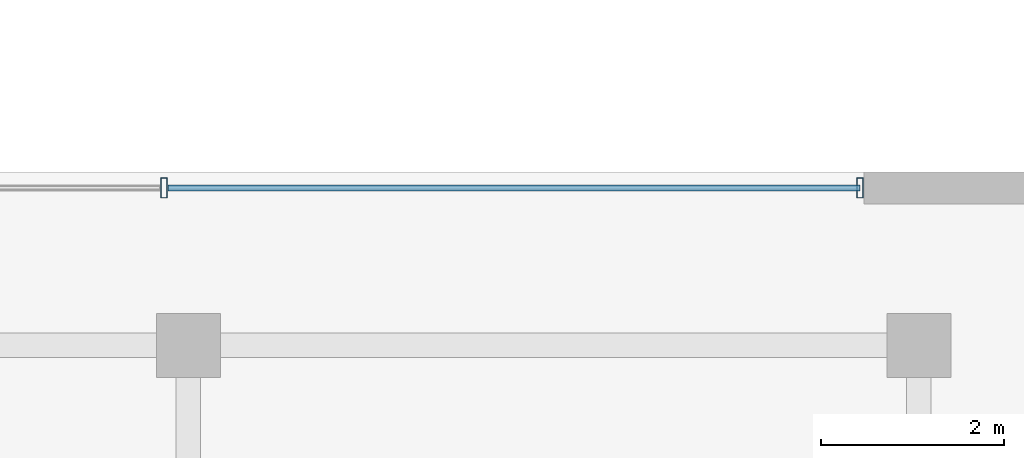
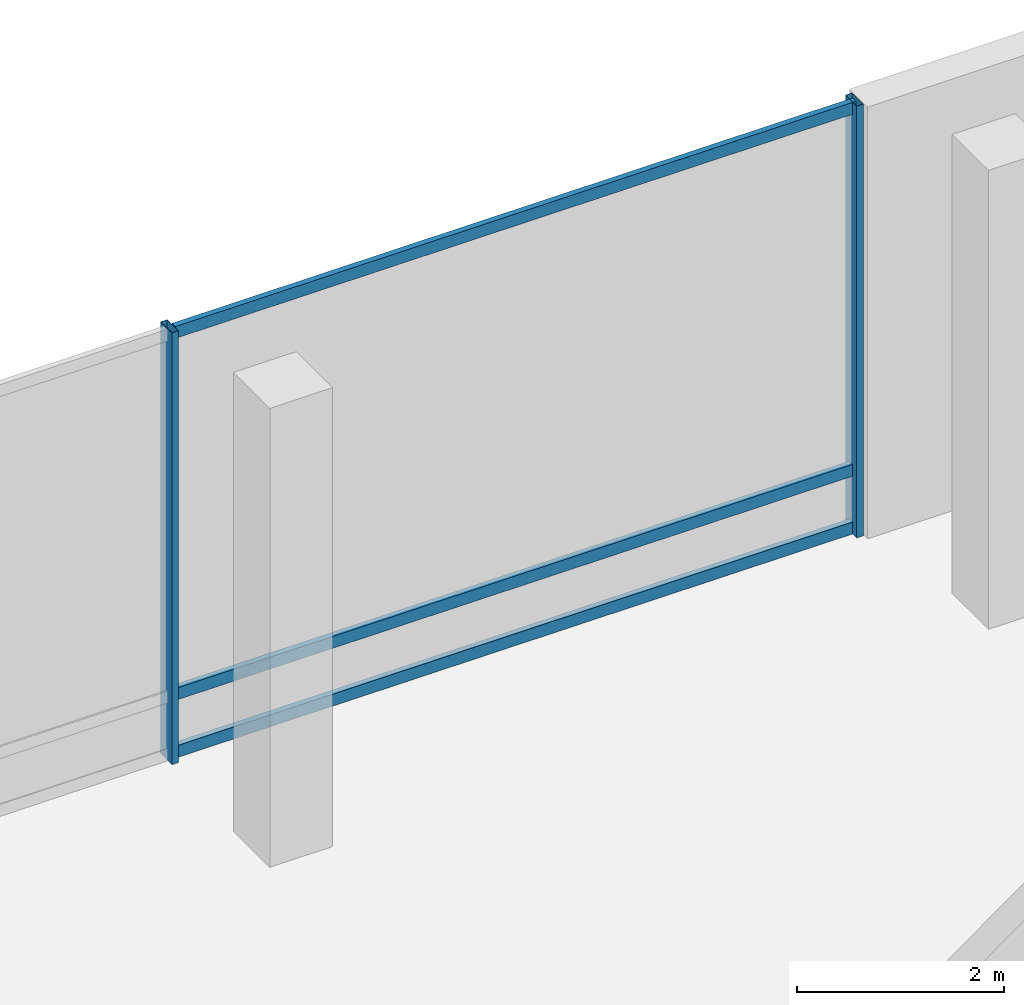
# One storey, part 23 of 36: 5 members, 1 element without a shape of its own.
"""IFC4 building model written with IfcOpenShell, lengths in metres."""

from ifc_helpers import new_model, si_unit, direction, frame, origin, origin_2d, place, context, subcontext, project, spatial, hollow_rectangle, extrude, material, layer, layer_set, material_profile, profile_set, type_object, element, aggregate, save


model = new_model("IFC4")

# Units and contexts
model_context = context("Model", 3, precision=1e-05, world=origin(), true_north=direction((0.0, 1.0)))
body_context = subcontext(model_context, "Body", "Model", "MODEL_VIEW")
ifc_project = project(units=[si_unit("LENGTHUNIT", "METRE"), si_unit("AREAUNIT", "SQUARE_METRE"), si_unit("VOLUMEUNIT", "CUBIC_METRE"), si_unit("PLANEANGLEUNIT", "RADIAN"), si_unit("MASSUNIT", "GRAM", prefix="KILO")], contexts=[model_context])

# Site, building, storey
site_placement = place(None, origin())
site = spatial("IfcSite", under=ifc_project, at=site_placement, CompositionType="ELEMENT")
building_placement = place(site_placement, origin())
building = spatial("IfcBuilding", under=site, at=building_placement, Name="Barlavira Tower and Art Museum", CompositionType="ELEMENT")
storey_placement = place(building_placement, frame((0.0, 0.0, 11.39990234375)))
storey = spatial("IfcBuildingStorey", under=building, at=storey_placement, Name="L02", CompositionType="ELEMENT", Elevation=11.39990234375)

# Curtain wall, members
ifc_material_1 = material(Name="Low-iron coastal laminated glass", Category="glass")
ifc_layer = layer(ifc_material_1, 0.199951171875, Name="Low-iron coastal laminated glass")
ifc_layer_set = layer_set([ifc_layer], Name="Low-iron coastal laminated glass")
curtain_wall_type = type_object("IfcCurtainWallType", Name="Coastal Art Museum North-Light Curtain Wall", PredefinedType="NOTDEFINED", material=ifc_layer_set)
curtain_wall_placement = place(storey_placement, origin())
curtain_wall = element("IfcCurtainWall", 1, at=curtain_wall_placement, inside=storey, type_object=curtain_wall_type, Name="L02 Curtain Wall CW6-MUS-L02-N", PredefinedType="NOTDEFINED")
ifc_material_2 = material(Name="Pale anodised aluminium", Category="aluminium")
ifc_material_profile_1 = material_profile(ifc_material_2, hollow_rectangle(XDim=0.074951171875, YDim=0.219970703125, WallThickness=0.0048828125, at=origin_2d()), Name="ALU-MULL 75x220x5")
ifc_profile_set_1 = profile_set([ifc_material_profile_1], Name="Pale anodised aluminium")
member_type_1 = type_object("IfcMemberType", Name="Curtain Wall Heavy Pale-Metal Mullion 75x220", PredefinedType="MULLION", material=ifc_profile_set_1)
member_1_placement = place(storey_placement, frame((54.955078125, 23.824951171875, 0.0), z_axis=(0.0, 0.0, 1.0), x_axis=(-1.0, 0.0, 0.0)))
member_1 = element("IfcMember", 2, at=member_1_placement, type_object=member_type_1, Name="CW6-MUS-L02-N Mullion 0", PredefinedType="MULLION", context=body_context, shape_type="SweptSolid", body=[
    extrude(hollow_rectangle(XDim=0.074951171875, YDim=0.219970703125, WallThickness=0.0048828125, at=origin_2d()), origin(), (0.0, 0.0, 1.0), 5.080078125),
])
member_2_placement = place(storey_placement, frame((47.333251953125, 23.824951171875, 0.0), z_axis=(0.0, 0.0, 1.0), x_axis=(-1.0, 0.0, 0.0)))
member_2 = element("IfcMember", 3, at=member_2_placement, type_object=member_type_1, Name="CW6-MUS-L02-N Mullion 1", PredefinedType="MULLION", context=body_context, shape_type="SweptSolid", body=[
    extrude(hollow_rectangle(XDim=0.074951171875, YDim=0.219970703125, WallThickness=0.0048828125, at=origin_2d()), origin(), (0.0, 0.0, 1.0), 5.080078125),
])
ifc_material_profile_2 = material_profile(ifc_material_2, hollow_rectangle(XDim=0.06494140625, YDim=0.139892578125, WallThickness=0.00390625, at=origin_2d()), Name="ALU-TRAN 65x140x4")
ifc_profile_set_2 = profile_set([ifc_material_profile_2], Name="Pale anodised aluminium")
member_type_2 = type_object("IfcMemberType", Name="Curtain Wall Pale-Metal Transom 65x140", PredefinedType="USERDEFINED", material=ifc_profile_set_2)
member_3_placement = place(storey_placement, frame((54.955078125, 23.824951171875, 0.070068359375), z_axis=(-1.0, 0.0, 0.0), x_axis=(0.0, -1.0, 0.0)))
member_3 = element("IfcMember", 4, at=member_3_placement, type_object=member_type_2, Name="CW6-MUS-L02-N Transom 0.1", ObjectType="TRANSOM", PredefinedType="USERDEFINED", context=body_context, shape_type="SweptSolid", body=[
    extrude(hollow_rectangle(XDim=0.06494140625, YDim=0.139892578125, WallThickness=0.00390625, at=origin_2d()), origin(), (0.0, 0.0, 1.0), 7.57666015625),
])
member_4_placement = place(storey_placement, frame((54.955078125, 23.824951171875, 0.75), z_axis=(-1.0, 0.0, 0.0), x_axis=(0.0, -1.0, 0.0)))
member_4 = element("IfcMember", 5, at=member_4_placement, type_object=member_type_2, Name="CW6-MUS-L02-N Transom 0.2", ObjectType="TRANSOM", PredefinedType="USERDEFINED", context=body_context, shape_type="SweptSolid", body=[
    extrude(hollow_rectangle(XDim=0.06494140625, YDim=0.139892578125, WallThickness=0.00390625, at=origin_2d()), origin(), (0.0, 0.0, 1.0), 7.57666015625),
])
member_5_placement = place(storey_placement, frame((54.955078125, 23.824951171875, 5.010009765625), z_axis=(-1.0, 0.0, 0.0), x_axis=(0.0, -1.0, 0.0)))
member_5 = element("IfcMember", 6, at=member_5_placement, type_object=member_type_2, Name="CW6-MUS-L02-N Transom 0.3", ObjectType="TRANSOM", PredefinedType="USERDEFINED", context=body_context, shape_type="SweptSolid", body=[
    extrude(hollow_rectangle(XDim=0.06494140625, YDim=0.139892578125, WallThickness=0.00390625, at=origin_2d()), origin(), (0.0, 0.0, 1.0), 7.57666015625),
])
aggregate(curtain_wall, [member_1, member_2, member_3, member_4, member_5])

save(model, "model.ifc")
